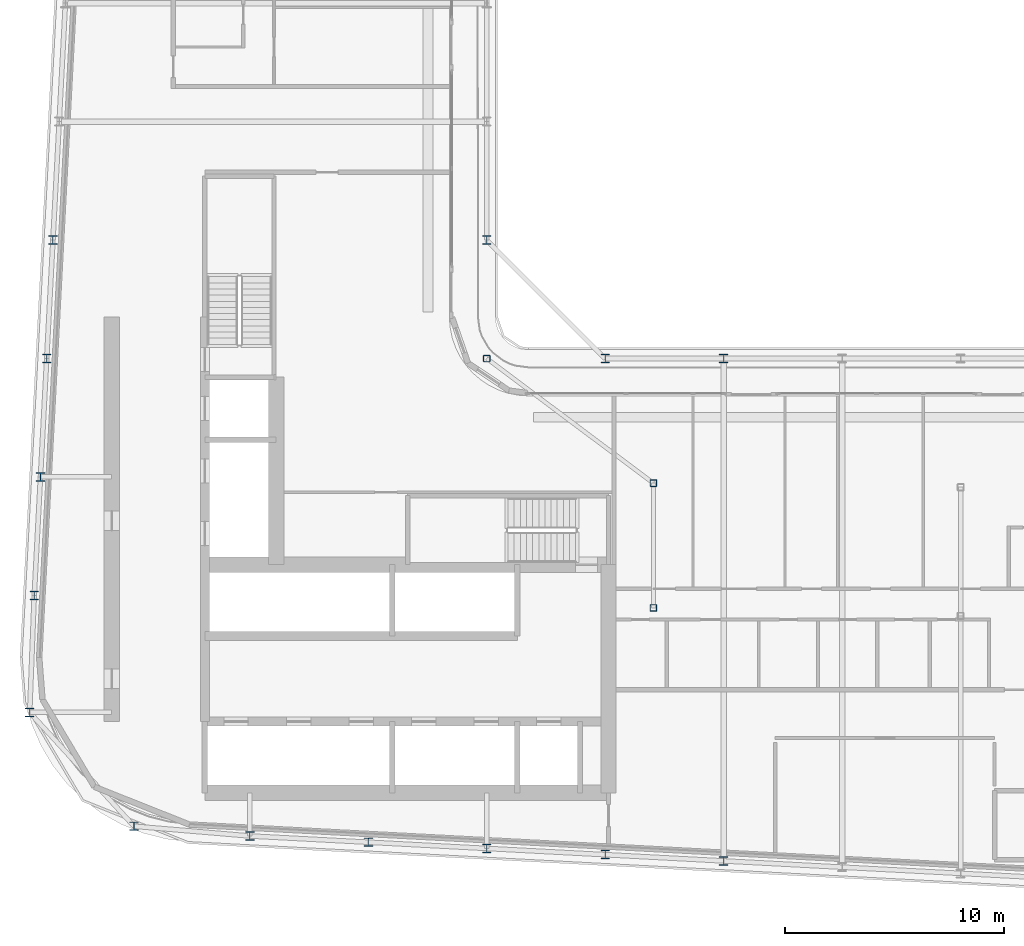
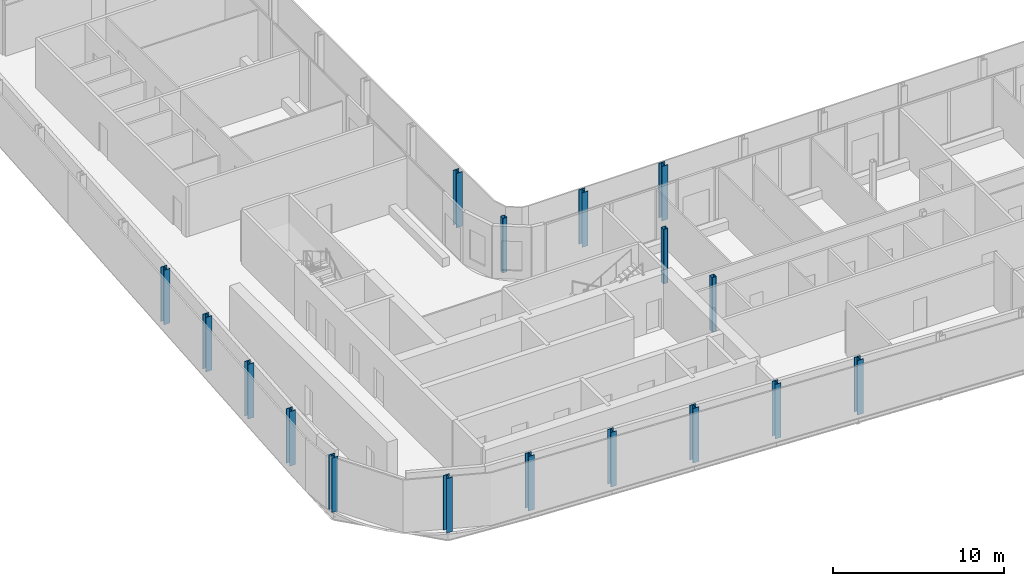
# One storey, part 1 of 21: 17 columns.
"""IFC4 building model written with IfcOpenShell, lengths in metres."""

from ifc_helpers import new_model, si_unit, direction, frame, origin, origin_2d, place, context, subcontext, project, spatial, hollow_rectangle, i_section, extrude, material, material_profile, profile_set, type_object, element, save


model = new_model("IFC4")

# Units and contexts
model_context = context("Model", 3, precision=1e-05, world=origin(), true_north=direction((0.0, 1.0)))
body_context = subcontext(model_context, "Body", "Model", "MODEL_VIEW")
ifc_project = project(units=[si_unit("LENGTHUNIT", "METRE"), si_unit("AREAUNIT", "SQUARE_METRE"), si_unit("VOLUMEUNIT", "CUBIC_METRE"), si_unit("PLANEANGLEUNIT", "RADIAN"), si_unit("MASSUNIT", "GRAM", prefix="KILO")], contexts=[model_context])

# Site, building, storey
site_placement = place(None, origin())
site = spatial("IfcSite", under=ifc_project, at=site_placement, CompositionType="ELEMENT")
building_placement = place(site_placement, origin())
building = spatial("IfcBuilding", under=site, at=building_placement, Name="Kheshtan School and Residences Tower", CompositionType="ELEMENT")
storey_placement = place(building_placement, frame((0.0, 0.0, 227.89990234375)))
storey = spatial("IfcBuildingStorey", under=building, at=storey_placement, Name="L53", CompositionType="ELEMENT", Elevation=227.89990234375)

# Columns
ifc_material_1 = material(Name="Steel ASTM A992 Grade 50", Category="steel")
ifc_material_profile_1 = material_profile(ifc_material_1, i_section(OverallWidth=0.404052734375, OverallDepth=0.406982421875, WebThickness=0.027099609375, FlangeThickness=0.043701171875, FilletRadius=0.01220703125, at=origin_2d()), Name="W360x347")
ifc_profile_set_1 = profile_set([ifc_material_profile_1], Name="Steel ASTM A992 Grade 50")
column_type_1 = type_object("IfcColumnType", Name="Column C4 W360x347 ASTM A992 Grade 50", PredefinedType="COLUMN", material=ifc_profile_set_1)
for number, where, z_axis, x_axis, name in (
    (1, (58.39990234375, 22.695068359375, 0.0), (0.0, 0.0, 1.0), (1.0, 0.0, 0.0), "Column C018"),
    (2, (53.0, 22.97998046875, 0.0), (0.0, 0.0, 1.0), (1.0, 0.0, 0.0), "Column C019"),
    (3, (47.60009765625, 23.263916015625, 0.0), (0.0, 0.0, 1.0), (1.0, 0.0, 0.0), "Column C020"),
    (4, (42.199951171875, 23.548095703125, 0.0), (0.0, 0.0, 1.0), (1.0, 0.0, 0.0), "Column C021"),
    (5, (36.800048828125, 23.83203125, 0.0), (0.0, 0.0, 1.0), (1.0, 0.0, 0.0), "Column C022"),
    (6, (31.51806640625, 24.277099609375, 0.0), (0.0, 0.0, 1.0), (1.0, 0.0, 0.0), "Column C029"),
    (7, (26.760986328125, 29.465087890625, 0.0), (0.0, 0.0, 1.0), (1.0, 0.0, 0.0), "Column C042"),
    (8, (26.968994140625, 34.800048828125, 0.0), (0.0, 0.0, 1.0), (1.0, 0.0, 0.0), "Column C052"),
    (9, (27.2529296875, 40.199951171875, 0.0), (0.0, 0.0, 1.0), (1.0, 0.0, 0.0), "Column C056"),
    (10, (27.537109375, 45.60009765625, 0.0), (0.0, 0.0, 1.0), (1.0, 0.0, 0.0), "Column C059"),
    (11, (53.0, 45.60009765625, 0.0), (0.0, 0.0, 1.0), (1.0, 0.0, 0.0), "Column C061"),
    (12, (58.39990234375, 45.60009765625, 0.0), (0.0, 0.0, 1.0), (1.0, 0.0, 0.0), "Column C062"),
    (13, (27.822021484375, 51.0, 0.0), (0.0, 0.0, 1.0), (1.0, 0.0, 0.0), "Column C078"),
    (14, (47.60009765625, 51.0, 0.0), (0.0, 0.0, 1.0), (1.0, 0.0, 0.0), "Column C079"),
):
    element("IfcColumn", number, at=place(storey_placement, frame(where, z_axis=z_axis, x_axis=x_axis)), inside=storey, type_object=column_type_1, Name=name, PredefinedType="COLUMN", context=body_context, shape_type="SweptSolid", body=[
        extrude(i_section(OverallWidth=0.404052734375, OverallDepth=0.406982421875, WebThickness=0.027099609375, FlangeThickness=0.043701171875, FilletRadius=0.01220703125, at=origin_2d()), origin(), (0.0, 0.0, 1.0), 3.900146484375),
    ])
ifc_material_2 = material(Name="Steel ASTM A500 Grade C", Category="steel")
ifc_material_profile_2 = material_profile(ifc_material_2, hollow_rectangle(XDim=0.304931640625, YDim=0.304931640625, WallThickness=0.015869140625, InnerFilletRadius=0.015869140625, OuterFilletRadius=0.03173828125, at=origin_2d()), Name="HSS 305x305x15.9")
ifc_profile_set_2 = profile_set([ifc_material_profile_2], Name="Steel ASTM A500 Grade C")
column_type_2 = type_object("IfcColumnType", Name="Column IC2 HSS 305x305x15.9 ASTM A500 Grade C", PredefinedType="COLUMN", material=ifc_profile_set_2)
for number, where, z_axis, x_axis, name in (
    (15, (55.199951171875, 34.23193359375, 0.0), (0.0, 0.0, 1.0), (1.0, 0.0, 0.0), "Column C051"),
    (16, (55.199951171875, 39.916015625, 0.0), (0.0, 0.0, 1.0), (1.0, 0.0, 0.0), "Column C055"),
    (17, (47.60009765625, 45.60009765625, 0.0), (0.0, 0.0, 1.0), (1.0, 0.0, 0.0), "Column C060"),
):
    element("IfcColumn", number, at=place(storey_placement, frame(where, z_axis=z_axis, x_axis=x_axis)), inside=storey, type_object=column_type_2, Name=name, PredefinedType="COLUMN", context=body_context, shape_type="SweptSolid", body=[
        extrude(hollow_rectangle(XDim=0.304931640625, YDim=0.304931640625, WallThickness=0.015869140625, InnerFilletRadius=0.015869140625, OuterFilletRadius=0.03173828125, at=origin_2d()), origin(), (0.0, 0.0, 1.0), 3.900146484375),
    ])

save(model, "model.ifc")
